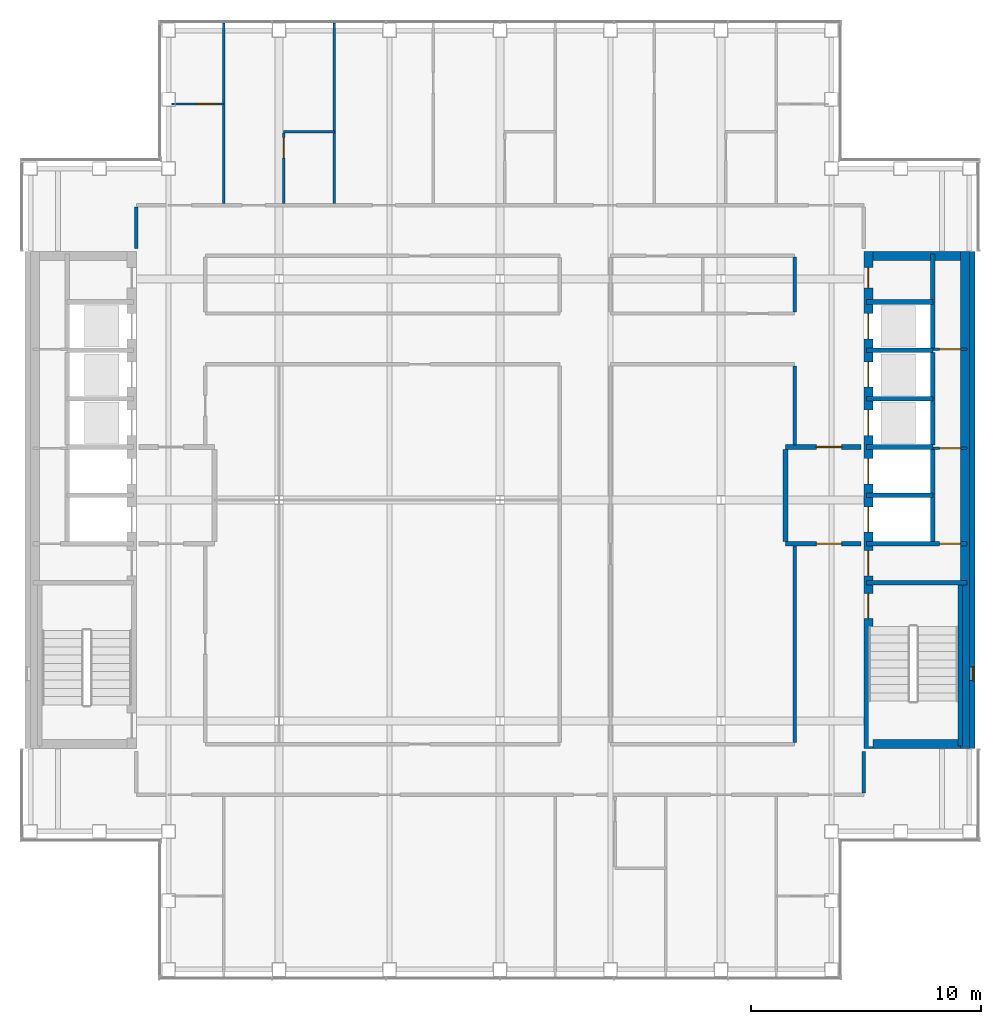
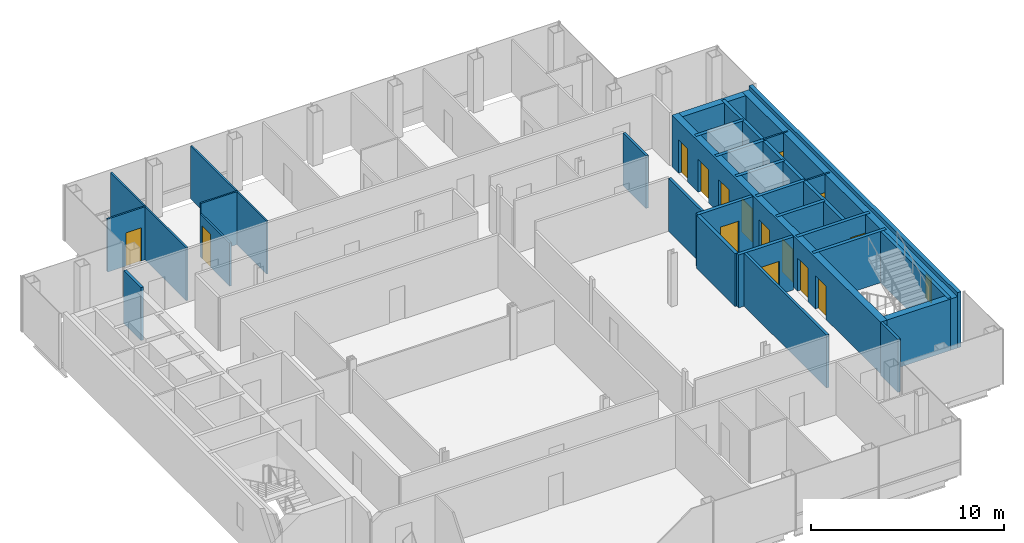
# One storey, part 12 of 15: 31 walls, 15 doors, 1 window, 16 openings.
"""IFC4 building model written with IfcOpenShell, lengths in metres."""

from ifc_helpers import new_model, si_unit, direction, frame, frame_2d, origin, place, context, subcontext, project, spatial, rectangle, extrude, material, layer, layer_set, type_object, element, fill, save


model = new_model("IFC4")

# Units and contexts
model_context = context("Model", 3, precision=1e-05, world=origin(), true_north=direction((0.0, 1.0)))
body_context = subcontext(model_context, "Body", "Model", "MODEL_VIEW")
ifc_project = project(units=[si_unit("LENGTHUNIT", "METRE"), si_unit("AREAUNIT", "SQUARE_METRE"), si_unit("VOLUMEUNIT", "CUBIC_METRE"), si_unit("PLANEANGLEUNIT", "RADIAN"), si_unit("MASSUNIT", "GRAM", prefix="KILO")], contexts=[model_context])

# Site, building, storey
site_placement = place(None, origin())
site = spatial("IfcSite", under=ifc_project, at=site_placement, CompositionType="ELEMENT")
building_placement = place(site_placement, origin())
building = spatial("IfcBuilding", under=site, at=building_placement, Name="Cobrizo Arcos Hotel Tower", CompositionType="ELEMENT")
storey_placement = place(building_placement, frame((0.0, 0.0, 251.5)))
storey = spatial("IfcBuildingStorey", under=building, at=storey_placement, Name="L66", CompositionType="ELEMENT", Elevation=251.5)

# Walls
ifc_material_1 = material(Name="Gypsum board partition")
ifc_layer_1 = layer(ifc_material_1, 0.14990234375)
ifc_layer_set_1 = layer_set([ifc_layer_1], Name="Corridor wall EI 60 150")
wall_type_1 = type_object("IfcWallType", Name="Corridor wall EI 60 150", PredefinedType="PARTITIONING", material=ifc_layer_set_1)
wall_1_placement = place(storey_placement, frame((-15.800048828125, 10.919921875, 0.0), z_axis=(0.0, 0.0, 1.0), x_axis=(0.0, 1.0, 0.0)))
element("IfcWall", 1, at=wall_1_placement, inside=storey, type_object=wall_type_1, Name="Partition 051", PredefinedType="PARTITIONING", context=body_context, shape_type="SweptSolid", body=[
    extrude(rectangle(XDim=1.80517578125, YDim=0.14990234375, at=frame_2d((0.902587890625, 0.0))), origin(), (0.0, 0.0, 1.0), 3.35009765625),
])
wall_2_placement = place(storey_placement, frame((12.800048828125, -10.52490234375, 0.0), z_axis=(0.0, 0.0, 1.0), x_axis=(0.0, 1.0, 0.0)))
element("IfcWall", 2, at=wall_2_placement, inside=storey, type_object=wall_type_1, Name="Partition 086", PredefinedType="PARTITIONING", context=body_context, shape_type="SweptSolid", body=[
    extrude(rectangle(XDim=8.52490234375, YDim=0.14990234375, at=frame_2d((4.262451171875, 0.0))), origin(), (0.0, 0.0, 1.0), 3.35009765625),
])
wall_3_placement = place(storey_placement, frame((12.800048828125, 2.39990234375, 0.0), z_axis=(0.0, 0.0, 1.0), x_axis=(0.0, 1.0, 0.0)))
element("IfcWall", 3, at=wall_3_placement, inside=storey, type_object=wall_type_1, Name="Partition 087", PredefinedType="PARTITIONING", context=body_context, shape_type="SweptSolid", body=[
    extrude(rectangle(XDim=3.425048828125, YDim=0.14990234375, at=frame_2d((1.71240234375, 0.0))), origin(), (0.0, 0.0, 1.0), 3.35009765625),
])
wall_4_placement = place(storey_placement, frame((12.800048828125, 8.175048828125, 0.0), z_axis=(0.0, 0.0, 1.0), x_axis=(0.0, 1.0, 0.0)))
element("IfcWall", 4, at=wall_4_placement, inside=storey, type_object=wall_type_1, Name="Partition 088", PredefinedType="PARTITIONING", context=body_context, shape_type="SweptSolid", body=[
    extrude(rectangle(XDim=2.375, YDim=0.14990234375, at=frame_2d((1.1875, 0.0))), origin(), (0.0, 0.0, 1.0), 3.35009765625),
])
wall_5_placement = place(storey_placement, frame((15.800048828125, -12.72509765625, 0.0), z_axis=(0.0, 0.0, 1.0), x_axis=(0.0, 1.0, 0.0)))
element("IfcWall", 5, at=wall_5_placement, inside=storey, type_object=wall_type_1, Name="Partition 089", PredefinedType="PARTITIONING", context=body_context, shape_type="SweptSolid", body=[
    extrude(rectangle(XDim=1.80517578125, YDim=0.14990234375, at=frame_2d((0.902587890625, 0.0))), origin(), (0.0, 0.0, 1.0), 3.35009765625),
])

# Wall, opening, window
ifc_material_2 = material(Name="Aluminium composite panel pale metal", Category="aluminium")
ifc_layer_2 = layer(ifc_material_2, 0.22509765625)
ifc_layer_set_2 = layer_set([ifc_layer_2], Name="EW-1 insulated panel wall 225")
wall_type_2 = type_object("IfcWallType", Name="EW-1 insulated panel wall 225", PredefinedType="SOLIDWALL", material=ifc_layer_set_2)
wall_6_placement = place(storey_placement, frame((20.512451171875, -10.800048828125, 0.0), z_axis=(0.0, 0.0, 1.0), x_axis=(0.0, 1.0, 0.0)))
wall_6 = element("IfcWall", 6, at=wall_6_placement, inside=storey, type_object=wall_type_2, Name="Core face wall L66 E", PredefinedType="SOLIDWALL", context=body_context, shape_type="SweptSolid", body=[
    extrude(rectangle(XDim=21.60009765625, YDim=0.22509765625, at=frame_2d((10.800048828125, 0.0))), origin(), (0.0, 0.0, 1.0), 3.5),
])
opening_1_placement = place(wall_6_placement, frame((2.949951171875, 0.0, 1.0)))
opening_1 = element("IfcOpeningElement", 7, at=opening_1_placement, cuts=wall_6, Name="Opening W-151", PredefinedType="OPENING", context=body_context, shape_type="SweptSolid", body=[
    extrude(rectangle(XDim=0.60009765625, YDim=1.5, at=frame_2d((0.300048828125, 0.75))), frame((0.0, 0.12451171875, 0.0), z_axis=(0.0, -1.0, 0.0), x_axis=(1.0, 0.0, 0.0)), (0.0, 0.0, 1.0), 0.2490234375),
])
ifc_material_3 = material(Name="Aluminium 6063-T6 and clear laminated glass", Category="aluminium")
window_type = type_object("IfcWindowType", Name="W-C1 core stair slot window 600x1500", PartitioningType="SINGLE_PANEL", PredefinedType="WINDOW", material=ifc_material_3)
window_placement = place(opening_1_placement, origin())
window = element("IfcWindow", 8, at=window_placement, inside=storey, type_object=window_type, Name="Core face wall L66 E window W-151", OverallHeight=1.5, OverallWidth=0.60009765625, PartitioningType="SINGLE_PANEL", PredefinedType="WINDOW", context=body_context, shape_type="SweptSolid", body=[
    extrude(rectangle(XDim=0.60009765625, YDim=1.5, at=frame_2d((0.300048828125, 0.75))), frame((0.0, -0.0224609375, 0.0), z_axis=(0.0, -1.0, 0.0), x_axis=(1.0, 0.0, 0.0)), (0.0, 0.0, 1.0), 0.06005859375),
])
fill(opening_1, window)

# Wall, opening, door
ifc_layer_3 = layer(ifc_material_1, 0.10009765625)
ifc_layer_set_3 = layer_set([ifc_layer_3], Name="Partition EI 30 100")
wall_type_3 = type_object("IfcWallType", Name="Partition EI 30 100", PredefinedType="PARTITIONING", material=ifc_layer_set_3)
wall_7_placement = place(storey_placement, frame((18.800048828125, 2.25, 0.0), z_axis=(0.0, 0.0, 1.0), x_axis=(1.0, 0.0, 0.0)))
wall_7 = element("IfcWall", 9, at=wall_7_placement, inside=storey, type_object=wall_type_3, Name="Partition 021", PredefinedType="PARTITIONING", context=body_context, shape_type="SweptSolid", body=[
    extrude(rectangle(XDim=1.47998046875, YDim=0.10009765625, at=frame_2d((0.739990234375, 0.0))), origin(), (0.0, 0.0, 1.0), 3.25),
])
opening_2_placement = place(wall_7_placement, frame((0.300048828125, 0.0, 0.0)))
opening_2 = element("IfcOpeningElement", 10, at=opening_2_placement, cuts=wall_7, Name="Opening RD-06", PredefinedType="OPENING", context=body_context, shape_type="SweptSolid", body=[
    extrude(rectangle(XDim=0.89990234375, YDim=2.10009765625, at=frame_2d((0.449951171875, 1.050048828125))), frame((0.0, 0.06201171875, 0.0), z_axis=(0.0, -1.0, 0.0), x_axis=(1.0, 0.0, 0.0)), (0.0, 0.0, 1.0), 0.1240234375),
])
ifc_material_4 = material(Name="Timber door leaf", Category="wood")
door_type_1 = type_object("IfcDoorType", Name="Room door FD30 900x2100", OperationType="SINGLE_SWING_LEFT", PredefinedType="DOOR", material=ifc_material_4)
door_1_placement = place(opening_2_placement, origin())
door_1 = element("IfcDoor", 11, at=door_1_placement, inside=storey, type_object=door_type_1, Name="Door RD-06", OperationType="SINGLE_SWING_LEFT", OverallHeight=2.10009765625, OverallWidth=0.89990234375, PredefinedType="DOOR", context=body_context, shape_type="SweptSolid", body=[
    extrude(rectangle(XDim=0.89990234375, YDim=2.10009765625, at=frame_2d((0.449951171875, 1.050048828125))), frame((0.0, 0.02490234375, 0.0), z_axis=(0.0, -1.0, 0.0), x_axis=(1.0, 0.0, 0.0)), (0.0, 0.0, 1.0), 0.050048828125),
])
fill(opening_2, door_1)

wall_8_placement = place(storey_placement, frame((18.800048828125, 6.550048828125, 0.0), z_axis=(0.0, 0.0, 1.0), x_axis=(1.0, 0.0, 0.0)))
wall_8 = element("IfcWall", 12, at=wall_8_placement, inside=storey, type_object=wall_type_3, Name="Partition 033", PredefinedType="PARTITIONING", context=body_context, shape_type="SweptSolid", body=[
    extrude(rectangle(XDim=1.47998046875, YDim=0.10009765625, at=frame_2d((0.739990234375, 0.0))), origin(), (0.0, 0.0, 1.0), 3.25),
])
opening_3_placement = place(wall_8_placement, frame((0.300048828125, 0.0, 0.0)))
opening_3 = element("IfcOpeningElement", 13, at=opening_3_placement, cuts=wall_8, Name="Opening RD-07", PredefinedType="OPENING", context=body_context, shape_type="SweptSolid", body=[
    extrude(rectangle(XDim=0.89990234375, YDim=2.10009765625, at=frame_2d((0.449951171875, 1.050048828125))), frame((0.0, 0.06201171875, 0.0), z_axis=(0.0, -1.0, 0.0), x_axis=(1.0, 0.0, 0.0)), (0.0, 0.0, 1.0), 0.1240234375),
])
door_2_placement = place(opening_3_placement, origin())
door_2 = element("IfcDoor", 14, at=door_2_placement, inside=storey, type_object=door_type_1, Name="Door RD-07", OperationType="SINGLE_SWING_LEFT", OverallHeight=2.10009765625, OverallWidth=0.89990234375, PredefinedType="DOOR", context=body_context, shape_type="SweptSolid", body=[
    extrude(rectangle(XDim=0.89990234375, YDim=2.10009765625, at=frame_2d((0.449951171875, 1.050048828125))), frame((0.0, 0.02490234375, 0.0), z_axis=(0.0, -1.0, 0.0), x_axis=(1.0, 0.0, 0.0)), (0.0, 0.0, 1.0), 0.050048828125),
])
fill(opening_3, door_2)

# Wall
wall_9_placement = place(storey_placement, frame((-9.39990234375, 16.0, 0.0), z_axis=(0.0, 0.0, 1.0), x_axis=(1.0, 0.0, 0.0)))
element("IfcWall", 15, at=wall_9_placement, inside=storey, type_object=wall_type_3, Name="Partition 041", PredefinedType="PARTITIONING", context=body_context, shape_type="SweptSolid", body=[
    extrude(rectangle(XDim=2.199951171875, YDim=0.10009765625, at=frame_2d((1.10009765625, 0.0))), origin(), (0.0, 0.0, 1.0), 3.35009765625),
])

# Wall, opening, door
wall_10_placement = place(storey_placement, frame((-14.280029296875, 17.199951171875, 0.0), z_axis=(0.0, 0.0, 1.0), x_axis=(1.0, 0.0, 0.0)))
wall_10 = element("IfcWall", 16, at=wall_10_placement, inside=storey, type_object=wall_type_3, Name="Partition 044", PredefinedType="PARTITIONING", context=body_context, shape_type="SweptSolid", body=[
    extrude(rectangle(XDim=2.280029296875, YDim=0.10009765625, at=frame_2d((1.14013671875, 0.0))), origin(), (0.0, 0.0, 1.0), 3.35009765625),
])
opening_4_placement = place(wall_10_placement, frame((1.110107421875, 0.0, 0.0)))
opening_4 = element("IfcOpeningElement", 17, at=opening_4_placement, cuts=wall_10, Name="Opening ED-07", PredefinedType="OPENING", context=body_context, shape_type="SweptSolid", body=[
    extrude(rectangle(XDim=0.89990234375, YDim=2.10009765625, at=frame_2d((0.449951171875, 1.050048828125))), frame((0.0, 0.06201171875, 0.0), z_axis=(0.0, -1.0, 0.0), x_axis=(1.0, 0.0, 0.0)), (0.0, 0.0, 1.0), 0.1240234375),
])
door_type_2 = type_object("IfcDoorType", Name="En-suite door 900x2100", OperationType="SINGLE_SWING_LEFT", PredefinedType="DOOR", material=ifc_material_4)
door_3_placement = place(opening_4_placement, origin())
door_3 = element("IfcDoor", 18, at=door_3_placement, inside=storey, type_object=door_type_2, Name="Door ED-07", OperationType="SINGLE_SWING_LEFT", OverallHeight=2.10009765625, OverallWidth=0.89990234375, PredefinedType="DOOR", context=body_context, shape_type="SweptSolid", body=[
    extrude(rectangle(XDim=0.89990234375, YDim=2.10009765625, at=frame_2d((0.449951171875, 1.050048828125))), frame((0.0, 0.02490234375, 0.0), z_axis=(0.0, -1.0, 0.0), x_axis=(1.0, 0.0, 0.0)), (0.0, 0.0, 1.0), 0.050048828125),
])
fill(opening_4, door_3)

# Wall
wall_11_placement = place(storey_placement, frame((-12.0, 12.875, 0.0), z_axis=(0.0, 0.0, 1.0), x_axis=(0.0, 1.0, 0.0)))
element("IfcWall", 19, at=wall_11_placement, inside=storey, type_object=wall_type_3, Name="Partition 057", PredefinedType="PARTITIONING", context=body_context, shape_type="SweptSolid", body=[
    extrude(rectangle(XDim=7.85498046875, YDim=0.10009765625, at=frame_2d((3.927490234375, 0.0))), origin(), (0.0, 0.0, 1.0), 3.35009765625),
])

# Wall, opening, door
wall_12_placement = place(storey_placement, frame((-9.39990234375, 12.875, 0.0), z_axis=(0.0, 0.0, 1.0), x_axis=(0.0, 1.0, 0.0)))
wall_12 = element("IfcWall", 20, at=wall_12_placement, inside=storey, type_object=wall_type_3, Name="Partition 062", PredefinedType="PARTITIONING", context=body_context, shape_type="SweptSolid", body=[
    extrude(rectangle(XDim=3.074951171875, YDim=0.10009765625, at=frame_2d((1.53759765625, 0.0))), origin(), (0.0, 0.0, 1.0), 2.72802734375),
])
opening_5_placement = place(wall_12_placement, frame((1.970947265625, 0.0, 0.0)))
opening_5 = element("IfcOpeningElement", 21, at=opening_5_placement, cuts=wall_12, Name="Opening ED-02", PredefinedType="OPENING", context=body_context, shape_type="SweptSolid", body=[
    extrude(rectangle(XDim=0.89990234375, YDim=2.10009765625, at=frame_2d((0.449951171875, 1.050048828125))), frame((0.0, 0.06201171875, 0.0), z_axis=(0.0, -1.0, 0.0), x_axis=(1.0, 0.0, 0.0)), (0.0, 0.0, 1.0), 0.1240234375),
])
door_4_placement = place(opening_5_placement, origin())
door_4 = element("IfcDoor", 22, at=door_4_placement, inside=storey, type_object=door_type_2, Name="Door ED-02", OperationType="SINGLE_SWING_RIGHT", OverallHeight=2.10009765625, OverallWidth=0.89990234375, PredefinedType="DOOR", context=body_context, shape_type="SweptSolid", body=[
    extrude(rectangle(XDim=0.89990234375, YDim=2.10009765625, at=frame_2d((0.449951171875, 1.050048828125))), frame((0.0, 0.02490234375, 0.0), z_axis=(0.0, -1.0, 0.0), x_axis=(1.0, 0.0, 0.0)), (0.0, 0.0, 1.0), 0.050048828125),
])
fill(opening_5, door_4)

# Wall
wall_13_placement = place(storey_placement, frame((-7.199951171875, 12.875, 0.0), z_axis=(0.0, 0.0, 1.0), x_axis=(0.0, 1.0, 0.0)))
element("IfcWall", 23, at=wall_13_placement, inside=storey, type_object=wall_type_3, Name="Partition 063", PredefinedType="PARTITIONING", context=body_context, shape_type="SweptSolid", body=[
    extrude(rectangle(XDim=7.85498046875, YDim=0.10009765625, at=frame_2d((3.927490234375, 0.0))), origin(), (0.0, 0.0, 1.0), 3.35009765625),
])

# Wall, openings, doors
ifc_material_5 = material(Name="Concrete f'c 40 MPa", Category="concrete")
ifc_layer_4 = layer(ifc_material_5, 0.39990234375)
ifc_layer_set_4 = layer_set([ifc_layer_4], Name="RC core wall 400 f'c 40")
wall_type_4 = type_object("IfcWallType", Name="RC core wall 400 f'c 40", PredefinedType="SHEAR", material=ifc_layer_set_4)
wall_14_placement = place(storey_placement, frame((16.0, -10.800048828125, 0.0), z_axis=(0.0, 0.0, 1.0), x_axis=(0.0, 1.0, 0.0)))
wall_14 = element("IfcWall", 24, at=wall_14_placement, inside=storey, type_object=wall_type_4, Name="Core wall CW4, east core, inner face, L66", PredefinedType="SHEAR", context=body_context, shape_type="SweptSolid", body=[
    extrude(rectangle(XDim=21.60009765625, YDim=0.39990234375, at=frame_2d((10.800048828125, 0.0))), origin(), (0.0, 0.0, 1.0), 3.25),
])
opening_6_placement = place(wall_14_placement, frame((9.39990234375, 0.0, 0.0)))
opening_6 = element("IfcOpeningElement", 25, at=opening_6_placement, cuts=wall_14, Name="Opening LD-06", PredefinedType="OPENING", context=body_context, shape_type="SweptSolid", body=[
    extrude(rectangle(XDim=1.10009765625, YDim=2.10009765625, at=frame_2d((0.550048828125, 1.050048828125))), frame((0.0, 0.2119140625, 0.0), z_axis=(0.0, -1.0, 0.0), x_axis=(1.0, 0.0, 0.0)), (0.0, 0.0, 1.0), 0.423828125),
])
opening_7_placement = place(wall_14_placement, frame((11.5, 0.0, 0.0)))
opening_7 = element("IfcOpeningElement", 26, at=opening_7_placement, cuts=wall_14, Name="Opening LD-07", PredefinedType="OPENING", context=body_context, shape_type="SweptSolid", body=[
    extrude(rectangle(XDim=1.10009765625, YDim=2.10009765625, at=frame_2d((0.550048828125, 1.050048828125))), frame((0.0, 0.2119140625, 0.0), z_axis=(0.0, -1.0, 0.0), x_axis=(1.0, 0.0, 0.0)), (0.0, 0.0, 1.0), 0.423828125),
])
opening_8_placement = place(wall_14_placement, frame((13.60009765625, 0.0, 0.0)))
opening_8 = element("IfcOpeningElement", 27, at=opening_8_placement, cuts=wall_14, Name="Opening LD-08", PredefinedType="OPENING", context=body_context, shape_type="SweptSolid", body=[
    extrude(rectangle(XDim=1.10009765625, YDim=2.10009765625, at=frame_2d((0.550048828125, 1.050048828125))), frame((0.0, 0.2119140625, 0.0), z_axis=(0.0, -1.0, 0.0), x_axis=(1.0, 0.0, 0.0)), (0.0, 0.0, 1.0), 0.423828125),
])
opening_9_placement = place(wall_14_placement, frame((15.699951171875, 0.0, 0.0)))
opening_9 = element("IfcOpeningElement", 28, at=opening_9_placement, cuts=wall_14, Name="Opening LD-09", PredefinedType="OPENING", context=body_context, shape_type="SweptSolid", body=[
    extrude(rectangle(XDim=1.10009765625, YDim=2.10009765625, at=frame_2d((0.550048828125, 1.050048828125))), frame((0.0, 0.2119140625, 0.0), z_axis=(0.0, -1.0, 0.0), x_axis=(1.0, 0.0, 0.0)), (0.0, 0.0, 1.0), 0.423828125),
])
opening_10_placement = place(wall_14_placement, frame((17.800048828125, 0.0, 0.0)))
opening_10 = element("IfcOpeningElement", 29, at=opening_10_placement, cuts=wall_14, Name="Opening LD-10", PredefinedType="OPENING", context=body_context, shape_type="SweptSolid", body=[
    extrude(rectangle(XDim=1.10009765625, YDim=2.10009765625, at=frame_2d((0.550048828125, 1.050048828125))), frame((0.0, 0.2119140625, 0.0), z_axis=(0.0, -1.0, 0.0), x_axis=(1.0, 0.0, 0.0)), (0.0, 0.0, 1.0), 0.423828125),
])
opening_11_placement = place(wall_14_placement, frame((5.64208984375, 0.0, 0.0)))
opening_11 = element("IfcOpeningElement", 30, at=opening_11_placement, cuts=wall_14, Name="Opening SD-02", PredefinedType="OPENING", context=body_context, shape_type="SweptSolid", body=[
    extrude(rectangle(XDim=1.10009765625, YDim=2.10009765625, at=frame_2d((0.550048828125, 1.050048828125))), frame((0.0, 0.2119140625, 0.0), z_axis=(0.0, -1.0, 0.0), x_axis=(1.0, 0.0, 0.0)), (0.0, 0.0, 1.0), 0.423828125),
])
opening_12_placement = place(wall_14_placement, frame((7.5, 0.0, 0.0)))
opening_12 = element("IfcOpeningElement", 31, at=opening_12_placement, cuts=wall_14, Name="Opening FD-04", PredefinedType="OPENING", context=body_context, shape_type="SweptSolid", body=[
    extrude(rectangle(XDim=1.10009765625, YDim=2.10009765625, at=frame_2d((0.550048828125, 1.050048828125))), frame((0.0, 0.2119140625, 0.0), z_axis=(0.0, -1.0, 0.0), x_axis=(1.0, 0.0, 0.0)), (0.0, 0.0, 1.0), 0.423828125),
])
opening_13_placement = place(wall_14_placement, frame((20.0, 0.0, 0.0)))
opening_13 = element("IfcOpeningElement", 32, at=opening_13_placement, cuts=wall_14, Name="Opening RD-04", PredefinedType="OPENING", context=body_context, shape_type="SweptSolid", body=[
    extrude(rectangle(XDim=0.89990234375, YDim=2.10009765625, at=frame_2d((0.449951171875, 1.050048828125))), frame((0.0, 0.2119140625, 0.0), z_axis=(0.0, -1.0, 0.0), x_axis=(1.0, 0.0, 0.0)), (0.0, 0.0, 1.0), 0.423828125),
])
ifc_material_6 = material(Name="Steel door leaf", Category="steel")
door_type_3 = type_object("IfcDoorType", Name="Fire door FD60 1100x2100", OperationType="SINGLE_SWING_LEFT", PredefinedType="DOOR", material=ifc_material_6)
door_5_placement = place(opening_12_placement, origin())
door_5 = element("IfcDoor", 33, at=door_5_placement, inside=storey, type_object=door_type_3, Name="Door FD-04", OperationType="SINGLE_SWING_RIGHT", OverallHeight=2.10009765625, OverallWidth=1.10009765625, PredefinedType="DOOR", context=body_context, shape_type="SweptSolid", body=[
    extrude(rectangle(XDim=1.10009765625, YDim=2.10009765625, at=frame_2d((0.550048828125, 1.050048828125))), frame((0.0, 0.02490234375, 0.0), z_axis=(0.0, -1.0, 0.0), x_axis=(1.0, 0.0, 0.0)), (0.0, 0.0, 1.0), 0.050048828125),
])
fill(opening_12, door_5)
door_type_4 = type_object("IfcDoorType", Name="Lift landing door 1100x2100", OperationType="SLIDING_TO_LEFT", PredefinedType="DOOR", material=ifc_material_6)
door_6_placement = place(opening_6_placement, origin())
door_6 = element("IfcDoor", 34, at=door_6_placement, inside=storey, type_object=door_type_4, Name="Lift landing door LD-06", OperationType="SLIDING_TO_LEFT", OverallHeight=2.10009765625, OverallWidth=1.10009765625, PredefinedType="DOOR", context=body_context, shape_type="SweptSolid", body=[
    extrude(rectangle(XDim=1.10009765625, YDim=2.10009765625, at=frame_2d((0.550048828125, 1.050048828125))), frame((0.0, 0.02490234375, 0.0), z_axis=(0.0, -1.0, 0.0), x_axis=(1.0, 0.0, 0.0)), (0.0, 0.0, 1.0), 0.050048828125),
])
fill(opening_6, door_6)
door_7_placement = place(opening_7_placement, origin())
door_7 = element("IfcDoor", 35, at=door_7_placement, inside=storey, type_object=door_type_4, Name="Lift landing door LD-07", OperationType="SLIDING_TO_LEFT", OverallHeight=2.10009765625, OverallWidth=1.10009765625, PredefinedType="DOOR", context=body_context, shape_type="SweptSolid", body=[
    extrude(rectangle(XDim=1.10009765625, YDim=2.10009765625, at=frame_2d((0.550048828125, 1.050048828125))), frame((0.0, 0.02490234375, 0.0), z_axis=(0.0, -1.0, 0.0), x_axis=(1.0, 0.0, 0.0)), (0.0, 0.0, 1.0), 0.050048828125),
])
fill(opening_7, door_7)
door_8_placement = place(opening_8_placement, origin())
door_8 = element("IfcDoor", 36, at=door_8_placement, inside=storey, type_object=door_type_4, Name="Lift landing door LD-08", OperationType="SLIDING_TO_LEFT", OverallHeight=2.10009765625, OverallWidth=1.10009765625, PredefinedType="DOOR", context=body_context, shape_type="SweptSolid", body=[
    extrude(rectangle(XDim=1.10009765625, YDim=2.10009765625, at=frame_2d((0.550048828125, 1.050048828125))), frame((0.0, 0.02490234375, 0.0), z_axis=(0.0, -1.0, 0.0), x_axis=(1.0, 0.0, 0.0)), (0.0, 0.0, 1.0), 0.050048828125),
])
fill(opening_8, door_8)
door_9_placement = place(opening_9_placement, origin())
door_9 = element("IfcDoor", 37, at=door_9_placement, inside=storey, type_object=door_type_4, Name="Lift landing door LD-09", OperationType="SLIDING_TO_LEFT", OverallHeight=2.10009765625, OverallWidth=1.10009765625, PredefinedType="DOOR", context=body_context, shape_type="SweptSolid", body=[
    extrude(rectangle(XDim=1.10009765625, YDim=2.10009765625, at=frame_2d((0.550048828125, 1.050048828125))), frame((0.0, 0.02490234375, 0.0), z_axis=(0.0, -1.0, 0.0), x_axis=(1.0, 0.0, 0.0)), (0.0, 0.0, 1.0), 0.050048828125),
])
fill(opening_9, door_9)
door_10_placement = place(opening_10_placement, origin())
door_10 = element("IfcDoor", 38, at=door_10_placement, inside=storey, type_object=door_type_4, Name="Lift landing door LD-10", OperationType="SLIDING_TO_LEFT", OverallHeight=2.10009765625, OverallWidth=1.10009765625, PredefinedType="DOOR", context=body_context, shape_type="SweptSolid", body=[
    extrude(rectangle(XDim=1.10009765625, YDim=2.10009765625, at=frame_2d((0.550048828125, 1.050048828125))), frame((0.0, 0.02490234375, 0.0), z_axis=(0.0, -1.0, 0.0), x_axis=(1.0, 0.0, 0.0)), (0.0, 0.0, 1.0), 0.050048828125),
])
fill(opening_10, door_10)
door_11_placement = place(opening_13_placement, origin())
door_11 = element("IfcDoor", 39, at=door_11_placement, inside=storey, type_object=door_type_1, Name="Door RD-04", OperationType="SINGLE_SWING_LEFT", OverallHeight=2.10009765625, OverallWidth=0.89990234375, PredefinedType="DOOR", context=body_context, shape_type="SweptSolid", body=[
    extrude(rectangle(XDim=0.89990234375, YDim=2.10009765625, at=frame_2d((0.449951171875, 1.050048828125))), frame((0.0, 0.02490234375, 0.0), z_axis=(0.0, -1.0, 0.0), x_axis=(1.0, 0.0, 0.0)), (0.0, 0.0, 1.0), 0.050048828125),
])
fill(opening_13, door_11)
door_type_5 = type_object("IfcDoorType", Name="Stair door FD60S 1100x2100", OperationType="SINGLE_SWING_LEFT", PredefinedType="DOOR", material=ifc_material_6)
door_12_placement = place(opening_11_placement, origin())
door_12 = element("IfcDoor", 40, at=door_12_placement, inside=storey, type_object=door_type_5, Name="Door SD-02", OperationType="SINGLE_SWING_RIGHT", OverallHeight=2.10009765625, OverallWidth=1.10009765625, PredefinedType="DOOR", context=body_context, shape_type="SweptSolid", body=[
    extrude(rectangle(XDim=1.10009765625, YDim=2.10009765625, at=frame_2d((0.550048828125, 1.050048828125))), frame((0.0, 0.02490234375, 0.0), z_axis=(0.0, -1.0, 0.0), x_axis=(1.0, 0.0, 0.0)), (0.0, 0.0, 1.0), 0.050048828125),
])
fill(opening_11, door_12)

# Walls
wall_15_placement = place(storey_placement, frame((20.199951171875, -10.800048828125, 0.0), z_axis=(0.0, 0.0, 1.0), x_axis=(0.0, 1.0, 0.0)))
element("IfcWall", 41, at=wall_15_placement, inside=storey, type_object=wall_type_4, Name="Core wall CW4, east core, outer face, L66", PredefinedType="SHEAR", context=body_context, shape_type="SweptSolid", body=[
    extrude(rectangle(XDim=21.60009765625, YDim=0.39990234375, at=frame_2d((10.800048828125, 0.0))), origin(), (0.0, 0.0, 1.0), 3.25),
])
for number, where, z_axis, x_axis, name in (
    (42, (16.199951171875, 10.60009765625, 0.0), (0.0, 0.0, 1.0), (1.0, 0.0, 0.0), "Core wall CW4, east core, north end, L66"),
    (43, (16.199951171875, -10.60009765625, 0.0), (0.0, 0.0, 1.0), (1.0, 0.0, 0.0), "Core wall CW4, east core, south end, L66"),
):
    element("IfcWall", number, at=place(storey_placement, frame(where, z_axis=z_axis, x_axis=x_axis)), inside=storey, type_object=wall_type_4, Name=name, PredefinedType="SHEAR", context=body_context, shape_type="SweptSolid", body=[
        extrude(rectangle(XDim=3.800048828125, YDim=0.39990234375, at=frame_2d((1.89990234375, 0.0))), origin(), (0.0, 0.0, 1.0), 3.25),
    ])

# Wall, opening, door
ifc_layer_5 = layer(ifc_material_1, 0.199951171875)
ifc_layer_set_5 = layer_set([ifc_layer_5], Name="Shaft wall EI 120 200")
wall_type_5 = type_object("IfcWallType", Name="Shaft wall EI 120 200", PredefinedType="PARTITIONING", material=ifc_layer_set_5)
wall_16_placement = place(storey_placement, frame((12.39990234375, -1.89990234375, 0.0), z_axis=(0.0, 0.0, 1.0), x_axis=(1.0, 0.0, 0.0)))
wall_16 = element("IfcWall", 44, at=wall_16_placement, inside=storey, type_object=wall_type_5, Name="Partition 011", PredefinedType="PARTITIONING", context=body_context, shape_type="SweptSolid", body=[
    extrude(rectangle(XDim=3.280029296875, YDim=0.199951171875, at=frame_2d((1.64013671875, 0.0))), origin(), (0.0, 0.0, 1.0), 3.35009765625),
])
opening_14_placement = place(wall_16_placement, frame((1.340087890625, 0.0, 0.0)))
opening_14 = element("IfcOpeningElement", 45, at=opening_14_placement, cuts=wall_16, Name="Opening FD-06", PredefinedType="OPENING", context=body_context, shape_type="SweptSolid", body=[
    extrude(rectangle(XDim=1.10009765625, YDim=2.10009765625, at=frame_2d((0.550048828125, 1.050048828125))), frame((0.0, 0.112060546875, 0.0), z_axis=(0.0, -1.0, 0.0), x_axis=(1.0, 0.0, 0.0)), (0.0, 0.0, 1.0), 0.223876953125),
])
door_13_placement = place(opening_14_placement, origin())
door_13 = element("IfcDoor", 46, at=door_13_placement, inside=storey, type_object=door_type_3, Name="Door FD-06", OperationType="SINGLE_SWING_LEFT", OverallHeight=2.10009765625, OverallWidth=1.10009765625, PredefinedType="DOOR", context=body_context, shape_type="SweptSolid", body=[
    extrude(rectangle(XDim=1.10009765625, YDim=2.10009765625, at=frame_2d((0.550048828125, 1.050048828125))), frame((0.0, 0.02490234375, 0.0), z_axis=(0.0, -1.0, 0.0), x_axis=(1.0, 0.0, 0.0)), (0.0, 0.0, 1.0), 0.050048828125),
])
fill(opening_14, door_13)

wall_17_placement = place(storey_placement, frame((15.919921875, -1.89990234375, 0.0), z_axis=(0.0, 0.0, 1.0), x_axis=(1.0, 0.0, 0.0)))
wall_17 = element("IfcWall", 47, at=wall_17_placement, inside=storey, type_object=wall_type_5, Name="Partition 012", PredefinedType="PARTITIONING", context=body_context, shape_type="SweptSolid", body=[
    extrude(rectangle(XDim=4.360107421875, YDim=0.199951171875, at=frame_2d((2.18017578125, 0.0))), origin(), (0.0, 0.0, 1.0), 3.25),
])
opening_15_placement = place(wall_17_placement, frame((3.179931640625, 0.0, 0.0)))
opening_15 = element("IfcOpeningElement", 48, at=opening_15_placement, cuts=wall_17, Name="Opening RD-05", PredefinedType="OPENING", context=body_context, shape_type="SweptSolid", body=[
    extrude(rectangle(XDim=0.89990234375, YDim=2.10009765625, at=frame_2d((0.449951171875, 1.050048828125))), frame((0.0, 0.112060546875, 0.0), z_axis=(0.0, -1.0, 0.0), x_axis=(1.0, 0.0, 0.0)), (0.0, 0.0, 1.0), 0.223876953125),
])
door_14_placement = place(opening_15_placement, origin())
door_14 = element("IfcDoor", 49, at=door_14_placement, inside=storey, type_object=door_type_1, Name="Door RD-05", OperationType="SINGLE_SWING_LEFT", OverallHeight=2.10009765625, OverallWidth=0.89990234375, PredefinedType="DOOR", context=body_context, shape_type="SweptSolid", body=[
    extrude(rectangle(XDim=0.89990234375, YDim=2.10009765625, at=frame_2d((0.449951171875, 1.050048828125))), frame((0.0, 0.02490234375, 0.0), z_axis=(0.0, -1.0, 0.0), x_axis=(1.0, 0.0, 0.0)), (0.0, 0.0, 1.0), 0.050048828125),
])
fill(opening_15, door_14)

# Wall
wall_18_placement = place(storey_placement, frame((15.919921875, 0.199951171875, 0.0), z_axis=(0.0, 0.0, 1.0), x_axis=(1.0, 0.0, 0.0)))
element("IfcWall", 50, at=wall_18_placement, inside=storey, type_object=wall_type_5, Name="Partition 019", PredefinedType="PARTITIONING", context=body_context, shape_type="SweptSolid", body=[
    extrude(rectangle(XDim=2.880126953125, YDim=0.199951171875, at=frame_2d((1.43994140625, 0.0))), origin(), (0.0, 0.0, 1.0), 3.25),
])

# Wall, opening, door
wall_19_placement = place(storey_placement, frame((12.39990234375, 2.300048828125, 0.0), z_axis=(0.0, 0.0, 1.0), x_axis=(1.0, 0.0, 0.0)))
wall_19 = element("IfcWall", 51, at=wall_19_placement, inside=storey, type_object=wall_type_5, Name="Partition 024", PredefinedType="PARTITIONING", context=body_context, shape_type="SweptSolid", body=[
    extrude(rectangle(XDim=3.280029296875, YDim=0.199951171875, at=frame_2d((1.64013671875, 0.0))), origin(), (0.0, 0.0, 1.0), 3.35009765625),
])
opening_16_placement = place(wall_19_placement, frame((1.340087890625, 0.0, 0.0)))
opening_16 = element("IfcOpeningElement", 52, at=opening_16_placement, cuts=wall_19, Name="Opening FD-05", PredefinedType="OPENING", context=body_context, shape_type="SweptSolid", body=[
    extrude(rectangle(XDim=1.10009765625, YDim=2.10009765625, at=frame_2d((0.550048828125, 1.050048828125))), frame((0.0, 0.112060546875, 0.0), z_axis=(0.0, -1.0, 0.0), x_axis=(1.0, 0.0, 0.0)), (0.0, 0.0, 1.0), 0.223876953125),
])
door_15_placement = place(opening_16_placement, origin())
door_15 = element("IfcDoor", 53, at=door_15_placement, inside=storey, type_object=door_type_3, Name="Door FD-05", OperationType="SINGLE_SWING_RIGHT", OverallHeight=2.10009765625, OverallWidth=1.10009765625, PredefinedType="DOOR", context=body_context, shape_type="SweptSolid", body=[
    extrude(rectangle(XDim=1.10009765625, YDim=2.10009765625, at=frame_2d((0.550048828125, 1.050048828125))), frame((0.0, 0.02490234375, 0.0), z_axis=(0.0, -1.0, 0.0), x_axis=(1.0, 0.0, 0.0)), (0.0, 0.0, 1.0), 0.050048828125),
])
fill(opening_16, door_15)

# Walls
for number, where, z_axis, x_axis, name in (
    (54, (15.919921875, 2.300048828125, 0.0), (0.0, 0.0, 1.0), (1.0, 0.0, 0.0), "Partition 025"),
    (55, (15.919921875, 4.39990234375, 0.0), (0.0, 0.0, 1.0), (1.0, 0.0, 0.0), "Partition 027"),
    (56, (15.919921875, 6.5, 0.0), (0.0, 0.0, 1.0), (1.0, 0.0, 0.0), "Partition 031"),
    (57, (15.919921875, 8.60009765625, 0.0), (0.0, 0.0, 1.0), (1.0, 0.0, 0.0), "Partition 037"),
):
    element("IfcWall", number, at=place(storey_placement, frame(where, z_axis=z_axis, x_axis=x_axis)), inside=storey, type_object=wall_type_5, Name=name, PredefinedType="PARTITIONING", context=body_context, shape_type="SweptSolid", body=[
        extrude(rectangle(XDim=2.880126953125, YDim=0.199951171875, at=frame_2d((1.43994140625, 0.0))), origin(), (0.0, 0.0, 1.0), 3.25),
    ])
wall_20_placement = place(storey_placement, frame((12.39990234375, -1.800048828125, 0.0), z_axis=(0.0, 0.0, 1.0), x_axis=(0.0, 1.0, 0.0)))
element("IfcWall", 58, at=wall_20_placement, inside=storey, type_object=wall_type_5, Name="Partition 085", PredefinedType="PARTITIONING", context=body_context, shape_type="SweptSolid", body=[
    extrude(rectangle(XDim=4.0, YDim=0.199951171875, at=frame_2d((2.0, 0.0))), origin(), (0.0, 0.0, 1.0), 3.35009765625),
])
for number, where, z_axis, x_axis, name in (
    (59, (18.800048828125, -1.800048828125, 0.0), (0.0, 0.0, 1.0), (0.0, 1.0, 0.0), "Partition 091"),
    (60, (18.800048828125, 2.39990234375, 0.0), (0.0, 0.0, 1.0), (0.0, 1.0, 0.0), "Partition 092"),
):
    element("IfcWall", number, at=place(storey_placement, frame(where, z_axis=z_axis, x_axis=x_axis)), inside=storey, type_object=wall_type_5, Name=name, PredefinedType="PARTITIONING", context=body_context, shape_type="SweptSolid", body=[
        extrude(rectangle(XDim=4.0, YDim=0.199951171875, at=frame_2d((2.0, 0.0))), origin(), (0.0, 0.0, 1.0), 3.25),
    ])
wall_21_placement = place(storey_placement, frame((18.800048828125, 6.60009765625, 0.0), z_axis=(0.0, 0.0, 1.0), x_axis=(0.0, 1.0, 0.0)))
element("IfcWall", 61, at=wall_21_placement, inside=storey, type_object=wall_type_5, Name="Partition 093", PredefinedType="PARTITIONING", context=body_context, shape_type="SweptSolid", body=[
    extrude(rectangle(XDim=4.079833984375, YDim=0.199951171875, at=frame_2d((2.0400390625, 0.0))), origin(), (0.0, 0.0, 1.0), 3.25),
])
ifc_layer_6 = layer(ifc_material_5, 0.199951171875)
ifc_layer_set_6 = layer_set([ifc_layer_6], Name="Stair shaft wall 200")
wall_type_6 = type_object("IfcWallType", Name="Stair shaft wall 200", PredefinedType="SHEAR", material=ifc_layer_set_6)
wall_22_placement = place(storey_placement, frame((15.919921875, -3.60009765625, 0.0), z_axis=(0.0, 0.0, 1.0), x_axis=(1.0, 0.0, 0.0)))
element("IfcWall", 62, at=wall_22_placement, inside=storey, type_object=wall_type_6, Name="Stair shaft wall E", PredefinedType="SHEAR", context=body_context, shape_type="SweptSolid", body=[
    extrude(rectangle(XDim=4.360107421875, YDim=0.199951171875, at=frame_2d((2.18017578125, 0.0))), origin(), (0.0, 0.0, 1.0), 3.25),
])
wall_23_placement = place(storey_placement, frame((20.0, -10.679931640625, 0.0), z_axis=(0.0, 0.0, 1.0), x_axis=(0.0, 1.0, 0.0)))
element("IfcWall", 63, at=wall_23_placement, inside=storey, type_object=wall_type_6, Name="Stair shaft wall E", PredefinedType="SHEAR", context=body_context, shape_type="SweptSolid", body=[
    extrude(rectangle(XDim=6.97998046875, YDim=0.199951171875, at=frame_2d((3.489990234375, 0.0))), origin(), (0.0, 0.0, 1.0), 3.25),
])

save(model, "model.ifc")
